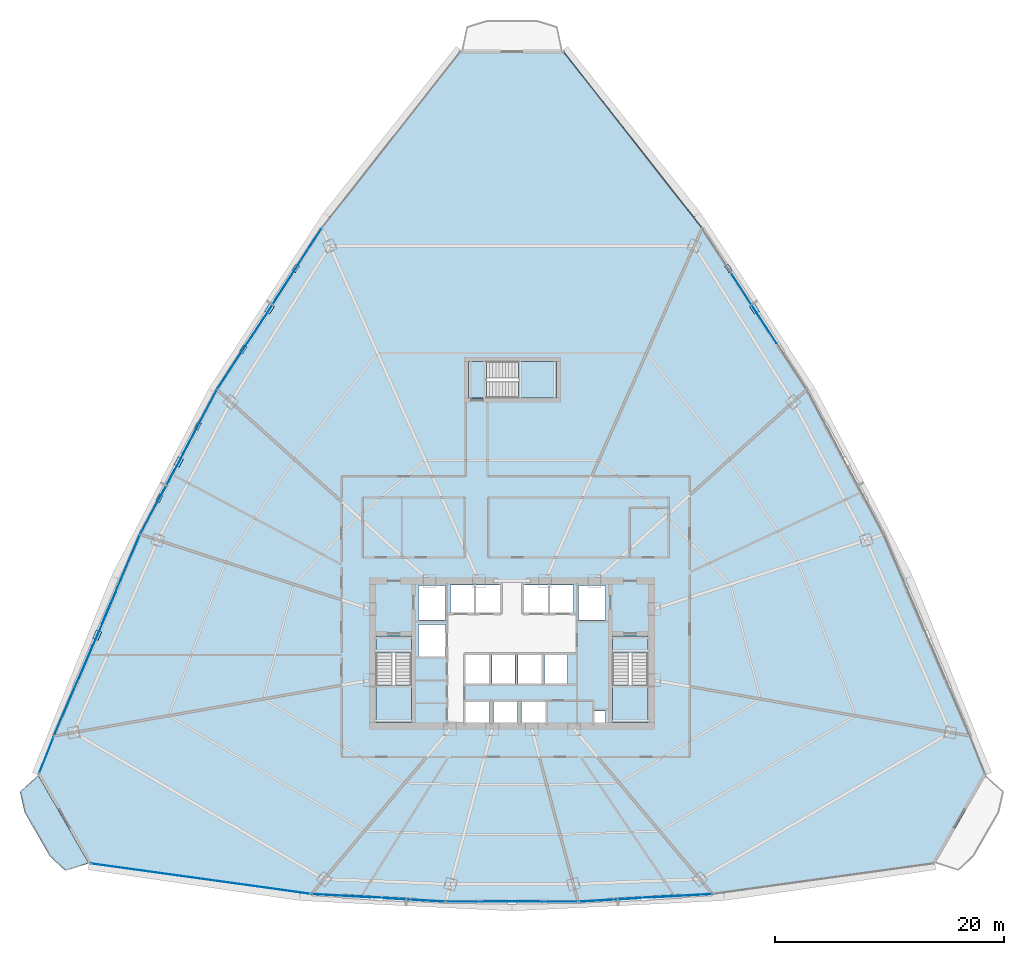
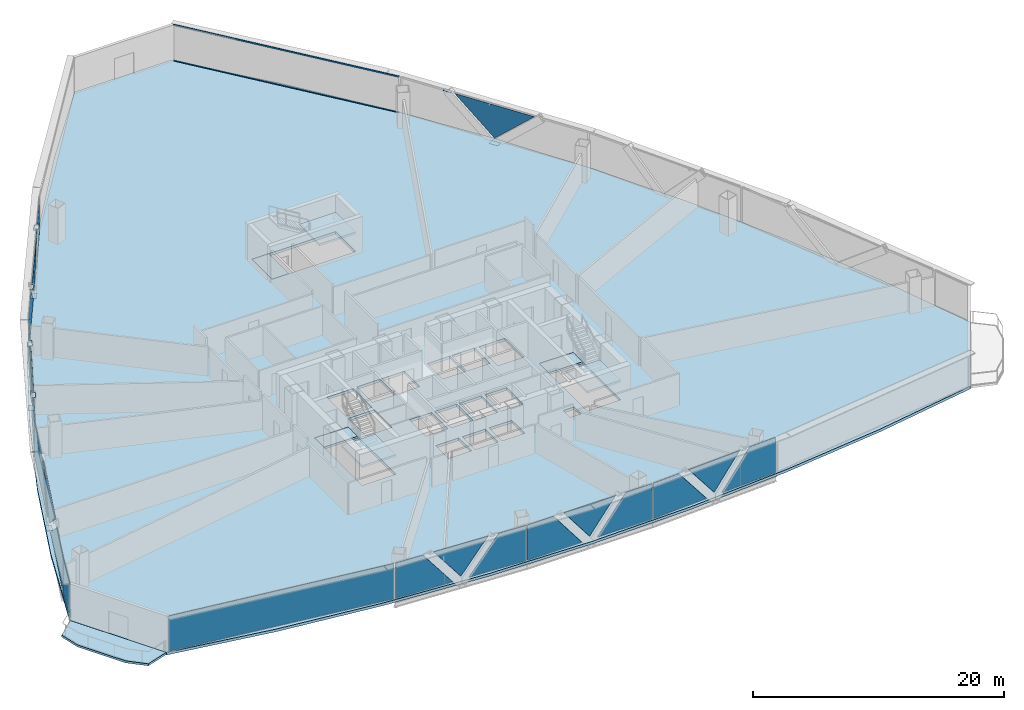
# One storey, part 27 of 36: 30 plates, 8 slabs, 2 members, 13 elements without a shape of their own.
"""IFC4 building model written with IfcOpenShell, lengths in metres."""

from ifc_helpers import new_model, si_unit, direction, frame, origin, origin_2d, place, context, subcontext, project, spatial, polyline, rectangle, hollow_rectangle, outline, extrude, source, transform, mapped, material, layer, layer_set, material_profile, profile_set, type_object, element, aggregate, save


model = new_model("IFC4")

# Units and contexts
model_context = context("Model", 3, precision=1e-05, world=origin(), true_north=direction((0.0, 1.0)))
body_context = subcontext(model_context, "Body", "Model", "MODEL_VIEW")
ifc_project = project(units=[si_unit("LENGTHUNIT", "METRE"), si_unit("AREAUNIT", "SQUARE_METRE"), si_unit("VOLUMEUNIT", "CUBIC_METRE"), si_unit("PLANEANGLEUNIT", "RADIAN"), si_unit("MASSUNIT", "GRAM", prefix="KILO"), si_unit("THERMODYNAMICTEMPERATUREUNIT", "KELVIN"), si_unit("POWERUNIT", "WATT")], contexts=[model_context])

# Site, building, storey
site_placement = place(None, origin())
site = spatial("IfcSite", under=ifc_project, at=site_placement, CompositionType="ELEMENT")
building_placement = place(site_placement, origin())
building = spatial("IfcBuilding", under=site, at=building_placement, Name="Yunzhuo Pagoda Commons", CompositionType="ELEMENT")
storey_placement = place(building_placement, frame((0.0, 0.0, 103.97998046875)))
storey = spatial("IfcBuildingStorey", under=building, at=storey_placement, Name="L26", CompositionType="ELEMENT", Elevation=103.97998046875)

# Curtain wall, members
ifc_material_1 = material(Name="Anodized aluminium 6063-T6", Category="aluminium")
ifc_layer_1 = layer(ifc_material_1, 0.1650390625)
ifc_layer_set_1 = layer_set([ifc_layer_1], Name="Anodized aluminium 6063-T6")
curtain_wall_type = type_object("IfcCurtainWallType", Name="CW-LOW Low-Zone Ribbon Curtain Wall", PredefinedType="NOTDEFINED", material=ifc_layer_set_1)
curtain_wall_1_placement = place(storey_placement, origin())
curtain_wall_1 = element("IfcCurtainWall", 1, at=curtain_wall_1_placement, inside=storey, type_object=curtain_wall_type, Name="L26 curtain wall CW-L26-F2B5", PredefinedType="NOTDEFINED")
ifc_material_profile = material_profile(ifc_material_1, hollow_rectangle(XDim=0.06005859375, YDim=0.139892578125, WallThickness=0.00341796875, at=origin_2d()), Name="Anodized aluminium 6063-T6")
ifc_profile_set = profile_set([ifc_material_profile], Name="Anodized aluminium 6063-T6")
member_type = type_object("IfcMemberType", Name="CW-LOW-T Transom RHS 140x60x3.5", PredefinedType="USERDEFINED", material=ifc_profile_set)
shared_shape_1 = source(origin(), body_context, "Body", "SweptSolid", [
    extrude(hollow_rectangle(XDim=0.06005859375, YDim=0.139892578125, WallThickness=0.00341796875, at=origin_2d()), origin(), (0.0, 0.0, 1.0), 19.41015625),
])
member_1_placement = place(storey_placement, frame((64.5498046875, 71.17578125, 0.030029296875), z_axis=(-0.61784377149, 0.78630088009, 0.0), x_axis=(-0.78630088009, -0.61784377149, 0.0)))
member_1 = element("IfcMember", 2, at=member_1_placement, type_object=member_type, Name="CW transom 1.1", ObjectType="TRANSOM", PredefinedType="USERDEFINED", context=body_context, shape_type="MappedRepresentation", body=[
    mapped(shared_shape_1, transform((0.0, 0.0, 0.0), scale=1.0)),
])
member_2_placement = place(storey_placement, frame((64.5498046875, 71.17578125, 3.510009765625), z_axis=(-0.61784377149, 0.78630088009, 0.0), x_axis=(-0.78630088009, -0.61784377149, 0.0)))
member_2 = element("IfcMember", 3, at=member_2_placement, type_object=member_type, Name="CW transom 1.2", ObjectType="TRANSOM", PredefinedType="USERDEFINED", context=body_context, shape_type="MappedRepresentation", body=[
    mapped(shared_shape_1, transform((0.0, 0.0, 0.0), scale=1.0)),
])
aggregate(curtain_wall_1, [member_1, member_2])

# Curtain wall, plates
curtain_wall_2_placement = place(storey_placement, origin())
curtain_wall_2 = element("IfcCurtainWall", 4, at=curtain_wall_2_placement, inside=storey, type_object=curtain_wall_type, Name="L26 curtain wall CW-L26-F1B2", PredefinedType="NOTDEFINED")
ifc_material_2 = material(Name="Tempered low-e double glazing", Category="glass")
ifc_layer_2 = layer(ifc_material_2, 0.028076171875)
ifc_layer_set_2 = layer_set([ifc_layer_2], Name="Tempered low-e double glazing")
plate_type_1 = type_object("IfcPlateType", Name="CW-LOW-P Low-E Double Glazing 28", PredefinedType="CURTAIN_PANEL", material=ifc_layer_set_2)
plate_1_placement = place(storey_placement, frame((33.072021484375, 12.66552734375, 1.77001953125), z_axis=(-0.057152816587, -0.998365441888, 0.0), x_axis=(0.998365441888, -0.057152816587, 0.0)))
plate_1 = element("IfcPlate", 5, at=plate_1_placement, type_object=plate_type_1, Name="CW panel 1.1 lite 1", PredefinedType="CURTAIN_PANEL", context=body_context, shape_type="SweptSolid", body=[
    extrude(outline(polyline([(-2.547119140625, -1.7099609375), (2.547119140625, -1.7099609375), (-0.102294921875, 1.7099609375), (-2.547119140625, 1.7099609375), (-2.547119140625, -1.7099609375)])), origin(), (0.0, 0.0, 1.0), 0.028076171875),
])
plate_2_placement = place(storey_placement, frame((36.34423828125, 12.50830078125, 1.920166015625), z_axis=(-0.057152816587, -0.998365441888, 0.0), x_axis=(0.998365441888, -0.057152816587, 0.0)))
plate_2 = element("IfcPlate", 6, at=plate_2_placement, type_object=plate_type_1, Name="CW panel 1.1 lite 2", PredefinedType="CURTAIN_PANEL", context=body_context, shape_type="SweptSolid", body=[
    extrude(outline(polyline([(-2.41650390625, 1.559814453125), (0.0, -1.559814453125), (2.41650390625, 1.559814453125), (-2.41650390625, 1.559814453125)])), origin(), (0.0, 0.0, 1.0), 0.028076171875),
])
plate_3_placement = place(storey_placement, frame((39.61279296875, 12.291015625, 1.77001953125), z_axis=(-0.057152816587, -0.998365441888, 0.0), x_axis=(0.998365441888, -0.057152816587, 0.0)))
plate_3 = element("IfcPlate", 7, at=plate_3_placement, type_object=plate_type_1, Name="CW panel 1.1 lite 3", PredefinedType="CURTAIN_PANEL", context=body_context, shape_type="SweptSolid", body=[
    extrude(outline(polyline([(-2.547119140625, -1.7099609375), (2.547119140625, -1.7099609375), (2.547119140625, 1.7099609375), (0.102294921875, 1.7099609375), (-2.547119140625, -1.7099609375)])), origin(), (0.0, 0.0, 1.0), 0.028076171875),
])
aggregate(curtain_wall_2, [plate_1, plate_2, plate_3])

curtain_wall_3_placement = place(storey_placement, origin())
curtain_wall_3 = element("IfcCurtainWall", 8, at=curtain_wall_3_placement, inside=storey, type_object=curtain_wall_type, Name="L26 curtain wall CW-L26-F1B3", PredefinedType="NOTDEFINED")
plate_4_placement = place(storey_placement, frame((44.781982421875, 12.14208984375, 1.77001953125), z_axis=(0.0, -1.0, 0.0), x_axis=(1.0, 0.0, 0.0)))
plate_4 = element("IfcPlate", 9, at=plate_4_placement, type_object=plate_type_1, Name="CW panel 1.1 lite 1", PredefinedType="CURTAIN_PANEL", context=body_context, shape_type="SweptSolid", body=[
    extrude(outline(polyline([(-2.497314453125, -1.7099609375), (2.497314453125, -1.7099609375), (-0.10400390625, 1.7099609375), (-2.497314453125, 1.7099609375), (-2.497314453125, -1.7099609375)])), origin(), (0.0, 0.0, 1.0), 0.028076171875),
])
plate_5_placement = place(storey_placement, frame((48.0, 12.171875, 1.923828125), z_axis=(0.0, -1.0, 0.0), x_axis=(1.0, 0.0, 0.0)))
plate_5 = element("IfcPlate", 10, at=plate_5_placement, type_object=plate_type_1, Name="CW panel 1.1 lite 2", PredefinedType="CURTAIN_PANEL", context=body_context, shape_type="SweptSolid", body=[
    extrude(outline(polyline([(-2.3671875, 1.55615234375), (0.0, -1.55615234375), (2.3671875, 1.55615234375), (-2.3671875, 1.55615234375)])), origin(), (0.0, 0.0, 1.0), 0.028076171875),
])
plate_6_placement = place(storey_placement, frame((51.218017578125, 12.14208984375, 1.77001953125), z_axis=(0.0, -1.0, 0.0), x_axis=(1.0, 0.0, 0.0)))
plate_6 = element("IfcPlate", 11, at=plate_6_placement, type_object=plate_type_1, Name="CW panel 1.1 lite 3", PredefinedType="CURTAIN_PANEL", context=body_context, shape_type="SweptSolid", body=[
    extrude(outline(polyline([(-2.497314453125, -1.7099609375), (2.497314453125, -1.7099609375), (2.497314453125, 1.7099609375), (0.10400390625, 1.7099609375), (-2.497314453125, -1.7099609375)])), origin(), (0.0, 0.0, 1.0), 0.028076171875),
])
aggregate(curtain_wall_3, [plate_4, plate_5, plate_6])

curtain_wall_4_placement = place(storey_placement, origin())
curtain_wall_4 = element("IfcCurtainWall", 12, at=curtain_wall_4_placement, inside=storey, type_object=curtain_wall_type, Name="L26 curtain wall CW-L26-F1B4", PredefinedType="NOTDEFINED")
plate_7_placement = place(storey_placement, frame((56.38720703125, 12.291015625, 1.77001953125), z_axis=(0.057152816587, -0.998365441888, 0.0), x_axis=(0.998365441888, 0.057152816587, 0.0)))
plate_7 = element("IfcPlate", 13, at=plate_7_placement, type_object=plate_type_1, Name="CW panel 1.1 lite 1", PredefinedType="CURTAIN_PANEL", context=body_context, shape_type="SweptSolid", body=[
    extrude(outline(polyline([(-2.547119140625, -1.7099609375), (2.547119140625, -1.7099609375), (-0.102294921875, 1.7099609375), (-2.547119140625, 1.7099609375), (-2.547119140625, -1.7099609375)])), origin(), (0.0, 0.0, 1.0), 0.028076171875),
])
plate_8_placement = place(storey_placement, frame((59.65576171875, 12.50830078125, 1.920166015625), z_axis=(0.057152816587, -0.998365441888, 0.0), x_axis=(0.998365441888, 0.057152816587, 0.0)))
plate_8 = element("IfcPlate", 14, at=plate_8_placement, type_object=plate_type_1, Name="CW panel 1.1 lite 2", PredefinedType="CURTAIN_PANEL", context=body_context, shape_type="SweptSolid", body=[
    extrude(outline(polyline([(-2.41650390625, 1.559814453125), (0.0, -1.559814453125), (2.41650390625, 1.559814453125), (-2.41650390625, 1.559814453125)])), origin(), (0.0, 0.0, 1.0), 0.028076171875),
])
plate_9_placement = place(storey_placement, frame((62.927978515625, 12.66552734375, 1.77001953125), z_axis=(0.057152816587, -0.998365441888, 0.0), x_axis=(0.998365441888, 0.057152816587, 0.0)))
plate_9 = element("IfcPlate", 15, at=plate_9_placement, type_object=plate_type_1, Name="CW panel 1.1 lite 3", PredefinedType="CURTAIN_PANEL", context=body_context, shape_type="SweptSolid", body=[
    extrude(outline(polyline([(-2.547119140625, -1.7099609375), (2.547119140625, -1.7099609375), (2.547119140625, 1.7099609375), (0.102294921875, 1.7099609375), (-2.547119140625, -1.7099609375)])), origin(), (0.0, 0.0, 1.0), 0.028076171875),
])
aggregate(curtain_wall_4, [plate_7, plate_8, plate_9])

# Curtain wall, plate
curtain_wall_5_placement = place(storey_placement, origin())
curtain_wall_5 = element("IfcCurtainWall", 16, at=curtain_wall_5_placement, inside=storey, type_object=curtain_wall_type, Name="L26 curtain wall CW-L26-F2B4", PredefinedType="NOTDEFINED")
plate_10_placement = place(storey_placement, frame((69.181884765625, 63.974853515625, 1.865966796875), z_axis=(0.839039875799, 0.544069928244, 0.0), x_axis=(-0.544069928244, 0.839039875799, 0.0)))
plate_10 = element("IfcPlate", 17, at=plate_10_placement, type_object=plate_type_1, Name="CW panel 1.1 lite 2", PredefinedType="CURTAIN_PANEL", context=body_context, shape_type="SweptSolid", body=[
    extrude(outline(polyline([(-3.57763671875, 1.614013671875), (0.0, -1.614013671875), (3.57763671875, 1.614013671875), (-3.57763671875, 1.614013671875)])), origin(), (0.0, 0.0, 1.0), 0.028076171875),
])
aggregate(curtain_wall_5, [plate_10])

# Curtain wall, plates
curtain_wall_6_placement = place(storey_placement, origin())
curtain_wall_6 = element("IfcCurtainWall", 18, at=curtain_wall_6_placement, inside=storey, type_object=curtain_wall_type, Name="L26 curtain wall CW-L26-F3B2", PredefinedType="NOTDEFINED")
plate_11_placement = place(storey_placement, frame((29.3173828125, 67.884033203125, 1.77001953125), z_axis=(-0.839039875799, 0.544069928244, 0.0), x_axis=(-0.544069928244, -0.839039875799, 0.0)))
plate_11 = element("IfcPlate", 19, at=plate_11_placement, type_object=plate_type_1, Name="CW panel 1.1 lite 1", PredefinedType="CURTAIN_PANEL", context=body_context, shape_type="SweptSolid", body=[
    extrude(outline(polyline([(-3.718017578125, -1.7099609375), (3.718017578125, -1.7099609375), (-0.072265625, 1.7099609375), (-3.718017578125, 1.7099609375), (-3.718017578125, -1.7099609375)])), origin(), (0.0, 0.0, 1.0), 0.028076171875),
])
plate_12_placement = place(storey_placement, frame((26.818115234375, 63.974853515625, 1.865966796875), z_axis=(-0.839039875799, 0.544069928244, 0.0), x_axis=(-0.544069928244, -0.839039875799, 0.0)))
plate_12 = element("IfcPlate", 20, at=plate_12_placement, type_object=plate_type_1, Name="CW panel 1.1 lite 2", PredefinedType="CURTAIN_PANEL", context=body_context, shape_type="SweptSolid", body=[
    extrude(outline(polyline([(-3.57763671875, 1.614013671875), (0.0, -1.614013671875), (3.57763671875, 1.614013671875), (-3.57763671875, 1.614013671875)])), origin(), (0.0, 0.0, 1.0), 0.028076171875),
])
plate_13_placement = place(storey_placement, frame((24.2685546875, 60.09814453125, 1.77001953125), z_axis=(-0.839039875799, 0.544069928244, 0.0), x_axis=(-0.544069928244, -0.839039875799, 0.0)))
plate_13 = element("IfcPlate", 21, at=plate_13_placement, type_object=plate_type_1, Name="CW panel 1.1 lite 3", PredefinedType="CURTAIN_PANEL", context=body_context, shape_type="SweptSolid", body=[
    extrude(outline(polyline([(-3.718017578125, -1.7099609375), (3.718017578125, -1.7099609375), (3.718017578125, 1.7099609375), (0.072265625, 1.7099609375), (-3.718017578125, -1.7099609375)])), origin(), (0.0, 0.0, 1.0), 0.028076171875),
])
aggregate(curtain_wall_6, [plate_11, plate_12, plate_13])

curtain_wall_7_placement = place(storey_placement, origin())
curtain_wall_7 = element("IfcCurtainWall", 22, at=curtain_wall_7_placement, inside=storey, type_object=curtain_wall_type, Name="L26 curtain wall CW-L26-F3B3", PredefinedType="NOTDEFINED")
plate_14_placement = place(storey_placement, frame((20.707763671875, 54.094482421875, 1.77001953125), z_axis=(-0.883152288181, 0.469086384241, 0.0), x_axis=(-0.469086384241, -0.883152288181, 0.0)))
plate_14 = element("IfcPlate", 23, at=plate_14_placement, type_object=plate_type_1, Name="CW panel 1.1 lite 1", PredefinedType="CURTAIN_PANEL", context=body_context, shape_type="SweptSolid", body=[
    extrude(outline(polyline([(-3.139892578125, -1.7099609375), (3.139892578125, -1.7099609375), (-0.086181640625, 1.7099609375), (-3.139892578125, 1.7099609375), (-3.139892578125, -1.7099609375)])), origin(), (0.0, 0.0, 1.0), 0.028076171875),
])
plate_15_placement = place(storey_placement, frame((18.874755859375, 50.57958984375, 1.886962890625), z_axis=(-0.883152288181, 0.469086384241, 0.0), x_axis=(-0.469086384241, -0.883152288181, 0.0)))
plate_15 = element("IfcPlate", 24, at=plate_15_placement, type_object=plate_type_1, Name="CW panel 1.1 lite 2", PredefinedType="CURTAIN_PANEL", context=body_context, shape_type="SweptSolid", body=[
    extrude(outline(polyline([(-3.005615234375, 1.593017578125), (0.0, -1.593017578125), (3.005615234375, 1.593017578125), (-3.005615234375, 1.593017578125)])), origin(), (0.0, 0.0, 1.0), 0.028076171875),
])
plate_16_placement = place(storey_placement, frame((16.98876953125, 47.092529296875, 1.77001953125), z_axis=(-0.883152288181, 0.469086384241, 0.0), x_axis=(-0.469086384241, -0.883152288181, 0.0)))
plate_16 = element("IfcPlate", 25, at=plate_16_placement, type_object=plate_type_1, Name="CW panel 1.1 lite 3", PredefinedType="CURTAIN_PANEL", context=body_context, shape_type="SweptSolid", body=[
    extrude(outline(polyline([(-3.139892578125, -1.7099609375), (3.139892578125, -1.7099609375), (3.139892578125, 1.7099609375), (0.086181640625, 1.7099609375), (-3.139892578125, -1.7099609375)])), origin(), (0.0, 0.0, 1.0), 0.028076171875),
])
aggregate(curtain_wall_7, [plate_14, plate_15, plate_16])

curtain_wall_8_placement = place(storey_placement, origin())
curtain_wall_8 = element("IfcCurtainWall", 26, at=curtain_wall_8_placement, inside=storey, type_object=curtain_wall_type, Name="L26 curtain wall CW-L26-F3B4", PredefinedType="NOTDEFINED")
plate_17_placement = place(storey_placement, frame((13.7880859375, 40.291748046875, 1.77001953125), z_axis=(-0.919516302226, 0.39305186673, 0.0), x_axis=(-0.39305186673, -0.919516302226, 0.0)))
plate_17 = element("IfcPlate", 27, at=plate_17_placement, type_object=plate_type_1, Name="CW panel 1.1 lite 1", PredefinedType="CURTAIN_PANEL", context=body_context, shape_type="SweptSolid", body=[
    extrude(outline(polyline([(-4.25390625, -1.7099609375), (4.25390625, -1.7099609375), (-0.060791015625, 1.7099609375), (-4.25390625, 1.7099609375), (-4.25390625, -1.7099609375)])), origin(), (0.0, 0.0, 1.0), 0.028076171875),
])
plate_18_placement = place(storey_placement, frame((11.74462890625, 35.4345703125, 1.8525390625), z_axis=(-0.919516302226, 0.39305186673, 0.0), x_axis=(-0.39305186673, -0.919516302226, 0.0)))
plate_18 = element("IfcPlate", 28, at=plate_18_placement, type_object=plate_type_1, Name="CW panel 1.1 lite 2", PredefinedType="CURTAIN_PANEL", context=body_context, shape_type="SweptSolid", body=[
    extrude(outline(polyline([(-4.106689453125, 1.62744140625), (0.0, -1.62744140625), (4.106689453125, 1.62744140625), (-4.106689453125, 1.62744140625)])), origin(), (0.0, 0.0, 1.0), 0.028076171875),
])
plate_19_placement = place(storey_placement, frame((9.64599609375, 30.60107421875, 1.77001953125), z_axis=(-0.919516302226, 0.39305186673, 0.0), x_axis=(-0.39305186673, -0.919516302226, 0.0)))
plate_19 = element("IfcPlate", 29, at=plate_19_placement, type_object=plate_type_1, Name="CW panel 1.1 lite 3", PredefinedType="CURTAIN_PANEL", context=body_context, shape_type="SweptSolid", body=[
    extrude(outline(polyline([(-4.25390625, -1.7099609375), (4.25390625, -1.7099609375), (4.25390625, 1.7099609375), (0.060791015625, 1.7099609375), (-4.25390625, -1.7099609375)])), origin(), (0.0, 0.0, 1.0), 0.028076171875),
])
aggregate(curtain_wall_8, [plate_17, plate_18, plate_19])

# Slab
ifc_material_3 = material(Name="Concrete C40", Category="concrete")
ifc_layer_3 = layer(ifc_material_3, 0.199951171875)
ifc_layer_set_3 = layer_set([ifc_layer_3], Name="Concrete C40")
slab_type_1 = type_object("IfcSlabType", Name="SL-BAL Vertex Balcony Deck Slab 200", PredefinedType="FLOOR", material=ifc_layer_set_3)
slab_1_placement = place(storey_placement, frame((0.0, 0.0, -0.199951171875)))
element("IfcSlab", 30, at=slab_1_placement, inside=storey, type_object=slab_type_1, Name="L26 corner balcony V1", PredefinedType="FLOOR", context=body_context, shape_type="SweptSolid", body=[
    extrude(outline(polyline([(6.550537109375, 23.1923828125), (10.97265625, 15.49072265625), (8.931884765625, 14.837890625), (7.573486328125, 16.09912109375), (5.3623046875, 19.949951171875), (4.957763671875, 21.7587890625), (6.550537109375, 23.1923828125)])), origin(), (0.0, 0.0, 1.0), 0.199951171875),
])

# Stair, slabs
stair_type_1 = type_object("IfcStairType", Name="ST-C1 Core Smokeproof Stair ST1", PredefinedType="HALF_TURN_STAIR", material=ifc_material_3)
stair_1_placement = place(storey_placement, origin())
stair_1 = element("IfcStair", 31, at=stair_1_placement, inside=storey, type_object=stair_type_1, Name="L26 Core smokeproof stair ST1", PredefinedType="HALF_TURN_STAIR")
ifc_layer_4 = layer(ifc_material_3, 0.199951171875)
ifc_layer_set_4 = layer_set([ifc_layer_4], Name="Concrete C40")
slab_type_2 = type_object("IfcSlabType", Name="SL-LND1 Stair Landing Slab 200", PredefinedType="LANDING", material=ifc_layer_set_4)
slab_2_placement = place(storey_placement, frame((0.0, 0.0, 1.699951171875)))
slab_2 = element("IfcSlab", 32, at=slab_2_placement, type_object=slab_type_2, Name="ST1 landing 1", PredefinedType="LANDING", context=body_context, shape_type="SweptSolid", body=[
    extrude(outline(polyline([(36.10009765625, 31.10009765625), (36.10009765625, 27.800048828125), (39.199951171875, 27.800048828125), (39.199951171875, 31.10009765625), (36.10009765625, 31.10009765625)])), origin(), (0.0, 0.0, 1.0), 0.199951171875),
])
slab_3_placement = place(storey_placement, frame((0.0, 0.0, -0.199951171875)))
slab_3 = element("IfcSlab", 33, at=slab_3_placement, type_object=slab_type_2, Name="ST1 floor landing L26", PredefinedType="LANDING", context=body_context, shape_type="SweptSolid", body=[
    extrude(outline(polyline([(36.10009765625, 35.39990234375), (36.10009765625, 33.89990234375), (39.199951171875, 33.89990234375), (39.199951171875, 35.39990234375), (36.10009765625, 35.39990234375)])), origin(), (0.0, 0.0, 1.0), 0.199951171875),
])
aggregate(stair_1, [slab_2, slab_3])

stair_type_2 = type_object("IfcStairType", Name="ST-C2 Core Smokeproof Stair ST2", PredefinedType="HALF_TURN_STAIR", material=ifc_material_3)
stair_2_placement = place(storey_placement, origin())
stair_2 = element("IfcStair", 34, at=stair_2_placement, inside=storey, type_object=stair_type_2, Name="L26 Core smokeproof stair ST2", PredefinedType="HALF_TURN_STAIR")
ifc_layer_5 = layer(ifc_material_3, 0.201904296875)
ifc_layer_set_5 = layer_set([ifc_layer_5], Name="Concrete C40")
slab_type_3 = type_object("IfcSlabType", Name="SL-LND2 Stair Landing Slab 202", PredefinedType="LANDING", material=ifc_layer_set_5)
slab_4_placement = place(storey_placement, frame((0.0, 0.0, 1.699951171875)))
slab_4 = element("IfcSlab", 35, at=slab_4_placement, type_object=slab_type_3, Name="ST2 landing 1", PredefinedType="LANDING", context=body_context, shape_type="SweptSolid", body=[
    extrude(outline(polyline([(56.800048828125, 31.10009765625), (56.800048828125, 27.800048828125), (59.89990234375, 27.800048828125), (59.89990234375, 31.10009765625), (56.800048828125, 31.10009765625)])), origin(), (0.0, 0.0, 1.0), 0.199951171875),
])
slab_5_placement = place(storey_placement, frame((0.0, 0.0, -0.199951171875)))
slab_5 = element("IfcSlab", 36, at=slab_5_placement, type_object=slab_type_3, Name="ST2 floor landing L26", PredefinedType="LANDING", context=body_context, shape_type="SweptSolid", body=[
    extrude(outline(polyline([(56.800048828125, 35.39990234375), (56.800048828125, 33.89990234375), (59.89990234375, 33.89990234375), (59.89990234375, 35.39990234375), (56.800048828125, 35.39990234375)])), origin(), (0.0, 0.0, 1.0), 0.199951171875),
])
aggregate(stair_2, [slab_4, slab_5])

stair_type_3 = type_object("IfcStairType", Name="ST-C3 North Tower Smokeproof Stair ST3", PredefinedType="HALF_TURN_STAIR", material=ifc_material_3)
stair_3_placement = place(storey_placement, origin())
stair_3 = element("IfcStair", 37, at=stair_3_placement, inside=storey, type_object=stair_type_3, Name="L26 North tower smokeproof stair ST3", PredefinedType="HALF_TURN_STAIR")
ifc_layer_6 = layer(ifc_material_3, 0.2041015625)
ifc_layer_set_6 = layer_set([ifc_layer_6], Name="Concrete C40")
slab_type_4 = type_object("IfcSlabType", Name="SL-LND5 North Landing Slab 204", PredefinedType="LANDING", material=ifc_layer_set_6)
slab_6_placement = place(storey_placement, frame((0.0, 0.0, 1.699951171875)))
slab_6 = element("IfcSlab", 38, at=slab_6_placement, type_object=slab_type_4, Name="ST3 landing 1", PredefinedType="LANDING", context=body_context, shape_type="SweptSolid", body=[
    extrude(outline(polyline([(48.550048828125, 56.199951171875), (51.89990234375, 56.199951171875), (51.89990234375, 59.39990234375), (48.550048828125, 59.39990234375), (48.550048828125, 56.199951171875)])), origin(), (0.0, 0.0, 1.0), 0.199951171875),
])
slab_7_placement = place(storey_placement, frame((0.0, 0.0, -0.199951171875)))
slab_7 = element("IfcSlab", 39, at=slab_7_placement, type_object=slab_type_4, Name="ST3 floor landing L26", PredefinedType="LANDING", context=body_context, shape_type="SweptSolid", body=[
    extrude(outline(polyline([(44.199951171875, 56.199951171875), (45.75, 56.199951171875), (45.75, 59.39990234375), (44.199951171875, 59.39990234375), (44.199951171875, 56.199951171875)])), origin(), (0.0, 0.0, 1.0), 0.199951171875),
])
aggregate(stair_3, [slab_6, slab_7])

# Slab
ifc_layer_7 = layer(ifc_material_3, 0.260009765625)
ifc_layer_set_7 = layer_set([ifc_layer_7], Name="Concrete C40")
slab_type_5 = type_object("IfcSlabType", Name="SL-TWR Typical Tower Floor Slab 260", PredefinedType="FLOOR", material=ifc_layer_set_7)
slab_8_placement = place(storey_placement, frame((0.0, 0.0, -0.260009765625)))
element("IfcSlab", 40, at=slab_8_placement, inside=storey, type_object=slab_type_5, Name="L26 structural floor slab", PredefinedType="FLOOR", context=body_context, shape_type="SweptSolid", body=[
    extrude(outline(polyline([(9.8212890625, 31.91748046875), (13.476806640625, 40.4130859375), (17.521240234375, 48.681884765625), (21.95458984375, 56.723388671875), (26.77685546875, 64.537841796875), (31.98828125, 72.12548828125), (37.588623046875, 79.48583984375), (43.577880859375, 86.619140625), (52.422119140625, 86.619140625), (58.411376953125, 79.48583984375), (64.01171875, 72.12548828125), (69.22314453125, 64.537841796875), (74.04541015625, 56.723388671875), (78.478759765625, 48.681884765625), (82.523193359375, 40.4130859375), (86.1787109375, 31.91748046875), (89.445068359375, 23.19482421875), (85.02294921875, 15.4931640625), (75.76708984375, 13.916748046875), (66.511474609375, 12.790771484375), (57.255615234375, 12.115234375), (48.0, 11.889892578125), (38.744140625, 12.115234375), (29.488525390625, 12.790771484375), (20.232666015625, 13.916748046875), (10.97705078125, 15.4931640625), (6.554931640625, 23.19482421875), (9.8212890625, 31.91748046875)]), holes=[polyline([(46.050048828125, 27.60009765625), (46.050048828125, 29.64990234375), (43.949951171875, 29.64990234375), (43.949951171875, 27.60009765625), (46.050048828125, 27.60009765625)]), polyline([(48.5, 27.60009765625), (48.5, 29.64990234375), (46.39990234375, 29.64990234375), (46.39990234375, 27.60009765625), (48.5, 27.60009765625)]), polyline([(36.10009765625, 27.800048828125), (39.199951171875, 27.800048828125), (39.199951171875, 35.39990234375), (36.10009765625, 35.39990234375), (36.10009765625, 27.800048828125)]), polyline([(45.969970703125, 31.199951171875), (45.969970703125, 33.800048828125), (43.929931640625, 33.800048828125), (43.929931640625, 31.199951171875), (45.969970703125, 31.199951171875)]), polyline([(48.27001953125, 31.199951171875), (48.27001953125, 33.800048828125), (46.22998046875, 33.800048828125), (46.22998046875, 31.199951171875), (48.27001953125, 31.199951171875)]), polyline([(42.199951171875, 33.60009765625), (42.199951171875, 36.39990234375), (39.800048828125, 36.39990234375), (39.800048828125, 33.60009765625), (42.199951171875, 33.60009765625)]), polyline([(42.199951171875, 36.800048828125), (42.199951171875, 39.800048828125), (39.800048828125, 39.800048828125), (39.800048828125, 36.800048828125), (42.199951171875, 36.800048828125)]), polyline([(42.60009765625, 37.39990234375), (44.699951171875, 37.39990234375), (44.699951171875, 39.85009765625), (42.60009765625, 39.85009765625), (42.60009765625, 37.39990234375)]), polyline([(44.85009765625, 37.39990234375), (46.949951171875, 37.39990234375), (46.949951171875, 39.85009765625), (44.85009765625, 39.85009765625), (44.85009765625, 37.39990234375)]), polyline([(56.179931640625, 27.699951171875), (56.179931640625, 28.800048828125), (55.179931640625, 28.800048828125), (55.179931640625, 27.699951171875), (56.179931640625, 27.699951171875)]), polyline([(50.949951171875, 27.60009765625), (50.949951171875, 29.64990234375), (48.85009765625, 29.64990234375), (48.85009765625, 27.60009765625), (50.949951171875, 27.60009765625)]), polyline([(56.800048828125, 27.800048828125), (59.89990234375, 27.800048828125), (59.89990234375, 35.39990234375), (56.800048828125, 35.39990234375), (56.800048828125, 27.800048828125)]), polyline([(50.570068359375, 31.199951171875), (50.570068359375, 33.800048828125), (48.530029296875, 33.800048828125), (48.530029296875, 31.199951171875), (50.570068359375, 31.199951171875)]), polyline([(52.8701171875, 31.199951171875), (52.8701171875, 33.800048828125), (50.830078125, 33.800048828125), (50.830078125, 31.199951171875), (52.8701171875, 31.199951171875)]), polyline([(56.199951171875, 36.800048828125), (56.199951171875, 39.800048828125), (53.800048828125, 39.800048828125), (53.800048828125, 36.800048828125), (56.199951171875, 36.800048828125)]), polyline([(51.14990234375, 37.39990234375), (51.14990234375, 39.85009765625), (49.050048828125, 39.85009765625), (49.050048828125, 37.39990234375), (51.14990234375, 37.39990234375)]), polyline([(51.300048828125, 37.39990234375), (53.39990234375, 37.39990234375), (53.39990234375, 39.85009765625), (51.300048828125, 39.85009765625), (51.300048828125, 37.39990234375)]), polyline([(44.199951171875, 56.199951171875), (51.89990234375, 56.199951171875), (51.89990234375, 59.39990234375), (44.199951171875, 59.39990234375), (44.199951171875, 56.199951171875)])]), origin(), (0.0, 0.0, 1.0), 0.260009765625),
])

# Plates
ifc_material_4 = material(Name="Structural steel Q355B", Category="steel")
ifc_layer_8 = layer(ifc_material_4, 0.028076171875)
ifc_layer_set_8 = layer_set([ifc_layer_8], Name="Structural steel Q355B")
plate_type_2 = type_object("IfcPlateType", Name="SP-ND1 Lattice Node Cap Plate 800x500x28", PredefinedType="USERDEFINED", material=ifc_layer_set_8)
shared_shape_2 = source(origin(), body_context, "Body", "SweptSolid", [
    extrude(rectangle(XDim=0.800048828125, YDim=0.5, at=origin_2d()), origin(), (0.0, 0.0, 1.0), 0.028076171875),
])
for number, where, z_axis, x_axis, name in (
    (41, (69.21875, 63.99853515625, -0.27392578125), (0.0, 0.0, 1.0), (-0.54406804394, 0.839041097661, 0.0), "L26 diamond node plate F2.3A"),
    (42, (26.78125, 63.99853515625, -0.27392578125), (0.0, 0.0, 1.0), (-0.54406804394, -0.839041097661, 0.0), "L26 diamond node plate F3.1A"),
    (43, (18.835693359375, 50.60009765625, -0.27392578125), (0.0, 0.0, 1.0), (-0.469086259542, -0.883152354415, 0.0), "L26 diamond node plate F3.2A"),
    (44, (11.7041015625, 35.4521484375, -0.27392578125), (0.0, 0.0, 1.0), (-0.393059421637, -0.919513072807, 0.0), "L26 diamond node plate F3.3A"),
):
    element("IfcPlate", number, at=place(storey_placement, frame(where, z_axis=z_axis, x_axis=x_axis)), inside=storey, type_object=plate_type_2, Name=name, ObjectType="STIFFENER_PLATE", PredefinedType="USERDEFINED", context=body_context, shape_type="MappedRepresentation", body=[
        mapped(shared_shape_2, transform((0.0, 0.0, 0.0), scale=1.0)),
    ])
shared_shape_3 = source(origin(), body_context, "Body", "SweptSolid", [
    extrude(rectangle(XDim=0.699951171875, YDim=0.35009765625, at=origin_2d()), origin(), (0.0, 0.0, 1.0), 0.035888671875),
])
for number, where, z_axis, x_axis, name in (
    (45, (66.927490234375, 67.531982421875, 3.501953125), (0.0, 0.0, 1.0), (-0.54406804394, 0.839041097661, 0.0), "L26 setback lattice tie plate F2.3R"),
    (46, (29.072509765625, 67.531982421875, 3.501953125), (0.0, 0.0, 1.0), (-0.54406804394, -0.839041097661, 0.0), "L26 setback lattice tie plate F3.1L"),
    (47, (24.489990234375, 60.465087890625, 3.501953125), (0.0, 0.0, 1.0), (-0.54406804394, -0.839041097661, 0.0), "L26 setback lattice tie plate F3.1R"),
    (48, (20.51708984375, 53.765869140625, 3.501953125), (0.0, 0.0, 1.0), (-0.469086259542, -0.883152354415, 0.0), "L26 setback lattice tie plate F3.2L"),
    (49, (17.154296875, 47.434326171875, 3.501953125), (0.0, 0.0, 1.0), (-0.469086259542, -0.883152354415, 0.0), "L26 setback lattice tie plate F3.2R"),
):
    element("IfcPlate", number, at=place(storey_placement, frame(where, z_axis=z_axis, x_axis=x_axis)), inside=storey, type_object=plate_type_2, Name=name, ObjectType="STIFFENER_PLATE", PredefinedType="USERDEFINED", context=body_context, shape_type="MappedRepresentation", body=[
        mapped(shared_shape_3, transform((0.0, 0.0, 0.0), scale=1.0)),
    ])

# Curtain wall, plate
curtain_wall_9_placement = place(storey_placement, origin())
curtain_wall_9 = element("IfcCurtainWall", 50, at=curtain_wall_9_placement, inside=storey, type_object=curtain_wall_type, Name="L26 curtain wall CW-L26-F1B1", PredefinedType="NOTDEFINED")
shared_shape_4 = source(origin(), body_context, "Body", "SweptSolid", [
    extrude(rectangle(XDim=19.3056640625, YDim=0.028076171875, at=origin_2d()), origin(), (0.0, 0.0, 1.0), 3.419921875),
])
plate_20_placement = place(storey_placement, frame((20.76318359375, 14.143310546875, 0.06005859375), z_axis=(0.0, 0.0, 1.0), x_axis=(0.990559671801, -0.137082225692, 0.0)))
plate_20 = element("IfcPlate", 51, at=plate_20_placement, type_object=plate_type_1, Name="CW panel 1.1", PredefinedType="CURTAIN_PANEL", context=body_context, shape_type="MappedRepresentation", body=[
    mapped(shared_shape_4, transform((0.0, 0.0, 0.0), scale=1.0)),
])
aggregate(curtain_wall_9, [plate_20])

curtain_wall_10_placement = place(storey_placement, origin())
curtain_wall_10 = element("IfcCurtainWall", 52, at=curtain_wall_10_placement, inside=storey, type_object=curtain_wall_type, Name="L26 curtain wall CW-L26-F3B5", PredefinedType="NOTDEFINED")
shared_shape_5 = source(origin(), body_context, "Body", "SweptSolid", [
    extrude(rectangle(XDim=3.34130859375, YDim=0.028076171875, at=origin_2d()), origin(), (0.0, 0.0, 1.0), 3.419921875),
])
plate_21_placement = place(storey_placement, frame((7.263916015625, 24.953857421875, 0.06005859375), z_axis=(0.0, 0.0, 1.0), x_axis=(-0.370829373424, -0.928701015293, 0.0)))
plate_21 = element("IfcPlate", 53, at=plate_21_placement, type_object=plate_type_1, Name="CW panel 1.1", PredefinedType="CURTAIN_PANEL", context=body_context, shape_type="MappedRepresentation", body=[
    mapped(shared_shape_5, transform((0.0, 0.0, 0.0), scale=1.0)),
])
aggregate(curtain_wall_10, [plate_21])

save(model, "model.ifc")
